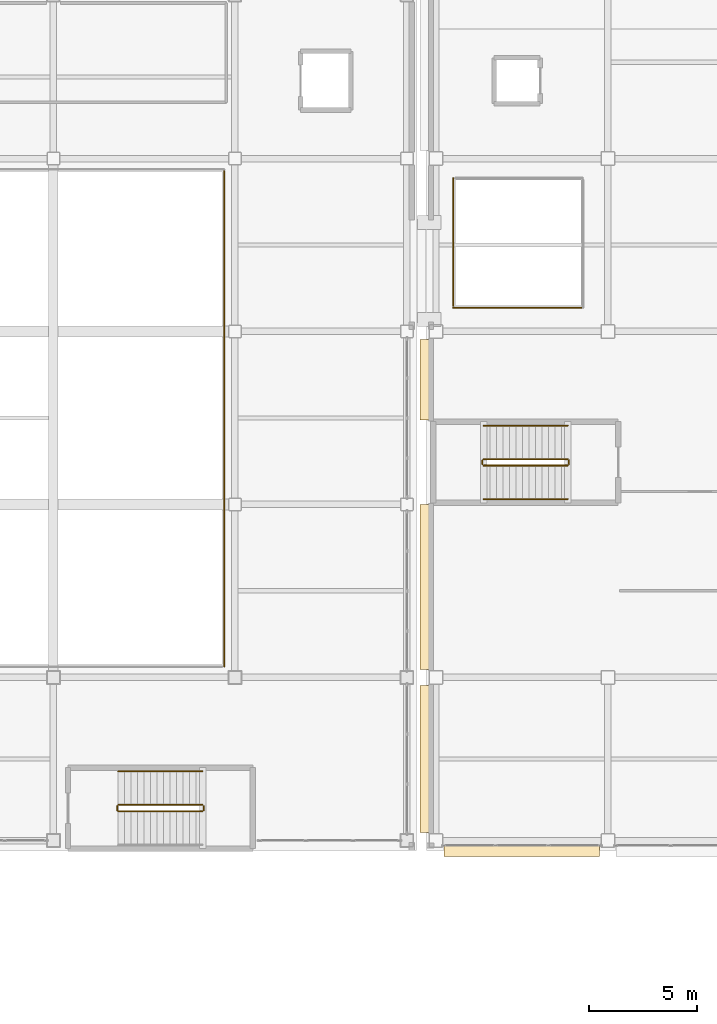
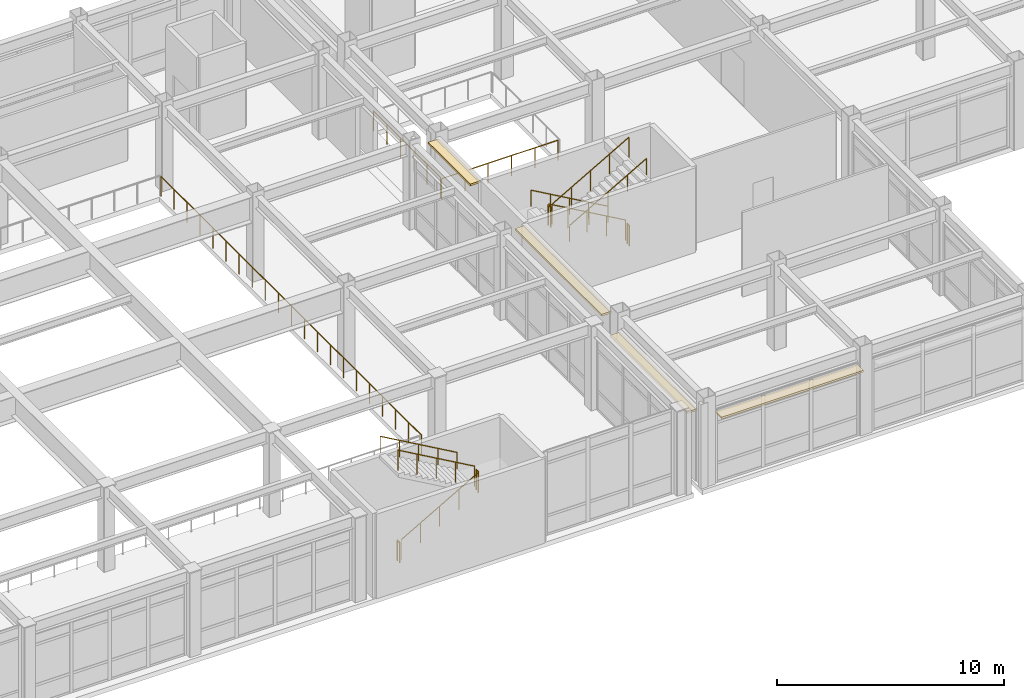
# One storey, part 155 of 172: 14 railings, 4 coverings.
"""IFC4 building model written with IfcOpenShell, lengths in metres."""

from ifc_helpers import new_model, si_unit, direction, frame, origin, origin_2d, place, context, subcontext, project, spatial, rectangle, circle, extrude, material, layer, layer_set, type_object, element, save


model = new_model("IFC4")

# Units and contexts
model_context = context("Model", 3, precision=1e-05, world=origin(), true_north=direction((0.0, 1.0)))
body_context = subcontext(model_context, "Body", "Model", "MODEL_VIEW")
ifc_project = project(units=[si_unit("LENGTHUNIT", "METRE"), si_unit("AREAUNIT", "SQUARE_METRE"), si_unit("VOLUMEUNIT", "CUBIC_METRE"), si_unit("PLANEANGLEUNIT", "RADIAN"), si_unit("MASSUNIT", "GRAM", prefix="KILO")], contexts=[model_context])

# Site, building, storey
site_placement = place(None, origin())
site = spatial("IfcSite", under=ifc_project, at=site_placement, CompositionType="ELEMENT")
building_placement = place(site_placement, origin())
building = spatial("IfcBuilding", under=site, at=building_placement, Name="Kazehara Bluff Congress Hotel", CompositionType="ELEMENT")
storey_placement = place(building_placement, frame((0.0, 0.0, 5.39990234375)))
storey = spatial("IfcBuildingStorey", under=building, at=storey_placement, Name="L01", CompositionType="ELEMENT", Elevation=5.39990234375)

# Coverings
ifc_material_1 = material(Name="Anodised aluminium architectural brise-soleil", Category="aluminium")
ifc_layer = layer(ifc_material_1, 0.10009765625)
ifc_layer_set = layer_set([ifc_layer], Name="Anodised aluminium architectural brise-soleil")
covering_type = type_object("IfcCoveringType", Name="TP-FAC-FIN", PredefinedType="CLADDING", material=ifc_layer_set)
covering_1_placement = place(storey_placement, frame((63.675048828125, -0.02001953125, 3.705078125), z_axis=(0.0, 0.0, 1.0), x_axis=(1.0, 0.0, 0.0)))
element("IfcCovering", 1, at=covering_1_placement, inside=storey, type_object=covering_type, Name="L01 V4 architectural sun-hood 35", PredefinedType="CLADDING", context=body_context, shape_type="SweptSolid", body=[
    extrude(rectangle(XDim=7.199951171875, YDim=0.52001953125, at=origin_2d()), origin(), (0.0, 0.0, 1.0), 0.10009765625),
])
covering_2_placement = place(storey_placement, frame((59.22998046875, 4.22509765625, 3.705078125), z_axis=(0.0, 0.0, 1.0), x_axis=(1.0, 0.0, 0.0)))
element("IfcCovering", 2, at=covering_2_placement, inside=storey, type_object=covering_type, Name="L01 V4 architectural sun-hood 51", PredefinedType="CLADDING", context=body_context, shape_type="SweptSolid", body=[
    extrude(rectangle(XDim=0.52001953125, YDim=6.800048828125, at=origin_2d()), origin(), (0.0, 0.0, 1.0), 0.10009765625),
])
covering_3_placement = place(storey_placement, frame((59.22998046875, 12.179931640625, 4.364990234375), z_axis=(0.0, 0.0, 1.0), x_axis=(1.0, 0.0, 0.0)))
element("IfcCovering", 3, at=covering_3_placement, inside=storey, type_object=covering_type, Name="L01 V4 architectural sun-hood 52", PredefinedType="CLADDING", context=body_context, shape_type="SweptSolid", body=[
    extrude(rectangle(XDim=0.52001953125, YDim=7.610107421875, at=origin_2d()), origin(), (0.0, 0.0, 1.0), 0.10009765625),
])
covering_4_placement = place(storey_placement, frame((59.22998046875, 21.77001953125, 4.364990234375), z_axis=(0.0, 0.0, 1.0), x_axis=(1.0, 0.0, 0.0)))
element("IfcCovering", 4, at=covering_4_placement, inside=storey, type_object=covering_type, Name="L01 V4 architectural sun-hood 53", PredefinedType="CLADDING", context=body_context, shape_type="SweptSolid", body=[
    extrude(rectangle(XDim=0.52001953125, YDim=3.7099609375, at=origin_2d()), origin(), (0.0, 0.0, 1.0), 0.10009765625),
])

# Railings
ifc_material_2 = material(Name="Brushed stainless steel", Category="steel")
railing_type_1 = type_object("IfcRailingType", Name="TP-GRD-INT", PredefinedType="GUARDRAIL", material=ifc_material_2)
railing_1_placement = place(storey_placement, frame((45.0, 1.800048828125, 0.171630859375)))
element("IfcRailing", 5, at=railing_1_placement, inside=storey, type_object=railing_type_1, Name="L01 ST-05 stair guard 1", PredefinedType="GUARDRAIL", context=body_context, shape_type="SweptSolid", body=[
    extrude(circle(Radius=0.02392578125, at=origin_2d()), frame((0.0, 0.0, 1.076171875), z_axis=(0.868243142124, 0.0, 0.496138938357), x_axis=(0.0, 1.0, 0.0)), (0.0, 0.0, 1.0), 4.49169921875),
    extrude(circle(Radius=0.02099609375, at=origin_2d()), origin(), (0.0, 0.0, 1.0), 1.052001953125),
    extrude(circle(Radius=0.02099609375, at=origin_2d()), frame((0.97509765625, 0.0, 0.55712890625)), (0.0, 0.0, 1.0), 1.052001953125),
    extrude(circle(Radius=0.02099609375, at=origin_2d()), frame((1.949951171875, 0.0, 1.1142578125)), (0.0, 0.0, 1.0), 1.052001953125),
    extrude(circle(Radius=0.02099609375, at=origin_2d()), frame((2.9248046875, 0.0, 1.67138671875)), (0.0, 0.0, 1.0), 1.052001953125),
    extrude(circle(Radius=0.02099609375, at=origin_2d()), frame((3.89990234375, 0.0, 2.228515625)), (0.0, 0.0, 1.0), 1.052001953125),
])
railing_2_placement = place(storey_placement, frame((48.949951171875, 1.85009765625, 2.400146484375)))
element("IfcRailing", 6, at=railing_2_placement, inside=storey, type_object=railing_type_1, Name="L01 ST-05 stair guard 2", PredefinedType="GUARDRAIL", context=body_context, shape_type="SweptSolid", body=[
    extrude(circle(Radius=0.02392578125, at=origin_2d()), frame((0.0, 0.0, 1.076171875), z_axis=(0.0, 1.0, 0.0), x_axis=(-1.0, 0.0, 0.0)), (0.0, 0.0, 1.0), 0.199951171875),
    extrude(circle(Radius=0.02099609375, at=origin_2d()), origin(), (0.0, 0.0, 1.0), 1.052001953125),
    extrude(circle(Radius=0.02099609375, at=origin_2d()), frame((0.0, 0.199951171875, 0.0)), (0.0, 0.0, 1.0), 1.052001953125),
])
railing_3_placement = place(storey_placement, frame((48.89990234375, 2.10009765625, 2.571533203125)))
element("IfcRailing", 7, at=railing_3_placement, inside=storey, type_object=railing_type_1, Name="L01 ST-05 stair guard 3", PredefinedType="GUARDRAIL", context=body_context, shape_type="SweptSolid", body=[
    extrude(circle(Radius=0.02392578125, at=origin_2d()), frame((0.0, 0.0, 1.076171875), z_axis=(-0.868243142124, 0.0, 0.496138938357), x_axis=(0.0, -1.0, 0.0)), (0.0, 0.0, 1.0), 4.49169921875),
    extrude(circle(Radius=0.02099609375, at=origin_2d()), origin(), (0.0, 0.0, 1.0), 1.052001953125),
    extrude(circle(Radius=0.02099609375, at=origin_2d()), frame((-0.97509765625, 0.0, 0.55712890625)), (0.0, 0.0, 1.0), 1.052001953125),
    extrude(circle(Radius=0.02099609375, at=origin_2d()), frame((-1.949951171875, 0.0, 1.1142578125)), (0.0, 0.0, 1.0), 1.052001953125),
    extrude(circle(Radius=0.02099609375, at=origin_2d()), frame((-2.9248046875, 0.0, 1.67138671875)), (0.0, 0.0, 1.0), 1.052001953125),
    extrude(circle(Radius=0.02099609375, at=origin_2d()), frame((-3.89990234375, 0.0, 2.228515625)), (0.0, 0.0, 1.0), 1.052001953125),
])
railing_4_placement = place(storey_placement, frame((44.949951171875, 1.85009765625, 0.0)))
element("IfcRailing", 8, at=railing_4_placement, inside=storey, type_object=railing_type_1, Name="L01 ST-05 stair guard 4", PredefinedType="GUARDRAIL", context=body_context, shape_type="SweptSolid", body=[
    extrude(circle(Radius=0.02392578125, at=origin_2d()), frame((0.0, 0.0, 1.076171875), z_axis=(0.0, 1.0, 0.0), x_axis=(-1.0, 0.0, 0.0)), (0.0, 0.0, 1.0), 0.199951171875),
    extrude(circle(Radius=0.02099609375, at=origin_2d()), origin(), (0.0, 0.0, 1.0), 1.052001953125),
    extrude(circle(Radius=0.02099609375, at=origin_2d()), frame((0.0, 0.199951171875, 0.0)), (0.0, 0.0, 1.0), 1.052001953125),
])
railing_5_placement = place(storey_placement, frame((65.800048828125, 18.10009765625, 0.171630859375)))
element("IfcRailing", 9, at=railing_5_placement, inside=storey, type_object=railing_type_1, Name="L01 ST-08 stair guard 1", PredefinedType="GUARDRAIL", context=body_context, shape_type="SweptSolid", body=[
    extrude(circle(Radius=0.02392578125, at=origin_2d()), frame((0.0, 0.0, 1.076171875), z_axis=(-0.868256520506, 0.0, 0.496115525457), x_axis=(0.0, -1.0, 0.0)), (0.0, 0.0, 1.0), 4.491943359375),
    extrude(circle(Radius=0.02099609375, at=origin_2d()), origin(), (0.0, 0.0, 1.0), 1.052001953125),
    extrude(circle(Radius=0.02099609375, at=origin_2d()), frame((-0.97509765625, 0.0, 0.55712890625)), (0.0, 0.0, 1.0), 1.052001953125),
    extrude(circle(Radius=0.02099609375, at=origin_2d()), frame((-1.9501953125, 0.0, 1.1142578125)), (0.0, 0.0, 1.0), 1.052001953125),
    extrude(circle(Radius=0.02099609375, at=origin_2d()), frame((-2.925048828125, 0.0, 1.67138671875)), (0.0, 0.0, 1.0), 1.052001953125),
    extrude(circle(Radius=0.02099609375, at=origin_2d()), frame((-3.900146484375, 0.0, 2.228515625)), (0.0, 0.0, 1.0), 1.052001953125),
])
railing_6_placement = place(storey_placement, frame((61.85009765625, 18.050048828125, 2.400146484375)))
element("IfcRailing", 10, at=railing_6_placement, inside=storey, type_object=railing_type_1, Name="L01 ST-08 stair guard 2", PredefinedType="GUARDRAIL", context=body_context, shape_type="SweptSolid", body=[
    extrude(circle(Radius=0.02392578125, at=origin_2d()), frame((0.0, 0.0, 1.076171875), z_axis=(0.0, -1.0, 0.0), x_axis=(1.0, 0.0, 0.0)), (0.0, 0.0, 1.0), 0.199951171875),
    extrude(circle(Radius=0.02099609375, at=origin_2d()), origin(), (0.0, 0.0, 1.0), 1.052001953125),
    extrude(circle(Radius=0.02099609375, at=origin_2d()), frame((0.0, -0.199951171875, 0.0)), (0.0, 0.0, 1.0), 1.052001953125),
])
railing_7_placement = place(storey_placement, frame((61.89990234375, 17.800048828125, 2.571533203125)))
element("IfcRailing", 11, at=railing_7_placement, inside=storey, type_object=railing_type_1, Name="L01 ST-08 stair guard 3", PredefinedType="GUARDRAIL", context=body_context, shape_type="SweptSolid", body=[
    extrude(circle(Radius=0.02392578125, at=origin_2d()), frame((0.0, 0.0, 1.076171875), z_axis=(0.868256520506, 0.0, 0.496115525457), x_axis=(0.0, 1.0, 0.0)), (0.0, 0.0, 1.0), 4.491943359375),
    extrude(circle(Radius=0.02099609375, at=origin_2d()), origin(), (0.0, 0.0, 1.0), 1.052001953125),
    extrude(circle(Radius=0.02099609375, at=origin_2d()), frame((0.97509765625, 0.0, 0.55712890625)), (0.0, 0.0, 1.0), 1.052001953125),
    extrude(circle(Radius=0.02099609375, at=origin_2d()), frame((1.9501953125, 0.0, 1.1142578125)), (0.0, 0.0, 1.0), 1.052001953125),
    extrude(circle(Radius=0.02099609375, at=origin_2d()), frame((2.925048828125, 0.0, 1.67138671875)), (0.0, 0.0, 1.0), 1.052001953125),
    extrude(circle(Radius=0.02099609375, at=origin_2d()), frame((3.900146484375, 0.0, 2.228515625)), (0.0, 0.0, 1.0), 1.052001953125),
])
railing_8_placement = place(storey_placement, frame((65.85009765625, 18.050048828125, 0.0)))
element("IfcRailing", 12, at=railing_8_placement, inside=storey, type_object=railing_type_1, Name="L01 ST-08 stair guard 4", PredefinedType="GUARDRAIL", context=body_context, shape_type="SweptSolid", body=[
    extrude(circle(Radius=0.02392578125, at=origin_2d()), frame((0.0, 0.0, 1.076171875), z_axis=(0.0, -1.0, 0.0), x_axis=(1.0, 0.0, 0.0)), (0.0, 0.0, 1.0), 0.199951171875),
    extrude(circle(Radius=0.02099609375, at=origin_2d()), origin(), (0.0, 0.0, 1.0), 1.052001953125),
    extrude(circle(Radius=0.02099609375, at=origin_2d()), frame((0.0, -0.199951171875, 0.0)), (0.0, 0.0, 1.0), 1.052001953125),
])
railing_9_placement = place(storey_placement, frame((49.89990234375, 8.5, 0.0)))
element("IfcRailing", 13, at=railing_9_placement, inside=storey, type_object=railing_type_1, Name="L01 V2-VOID void guardrail E", PredefinedType="GUARDRAIL", context=body_context, shape_type="SweptSolid", body=[
    extrude(circle(Radius=0.02392578125, at=origin_2d()), frame((0.0, 0.0, 1.076171875), z_axis=(0.0, 1.0, 0.0), x_axis=(-1.0, 0.0, 0.0)), (0.0, 0.0, 1.0), 22.919921875),
    extrude(circle(Radius=0.02099609375, at=origin_2d()), origin(), (0.0, 0.0, 1.0), 1.052001953125),
    extrude(circle(Radius=0.02099609375, at=origin_2d()), frame((0.0, 1.14599609375, 0.0)), (0.0, 0.0, 1.0), 1.052001953125),
    extrude(circle(Radius=0.02099609375, at=origin_2d()), frame((0.0, 2.2919921875, 0.0)), (0.0, 0.0, 1.0), 1.052001953125),
    extrude(circle(Radius=0.02099609375, at=origin_2d()), frame((0.0, 3.43798828125, 0.0)), (0.0, 0.0, 1.0), 1.052001953125),
    extrude(circle(Radius=0.02099609375, at=origin_2d()), frame((0.0, 4.583984375, 0.0)), (0.0, 0.0, 1.0), 1.052001953125),
    extrude(circle(Radius=0.02099609375, at=origin_2d()), frame((0.0, 5.72998046875, 0.0)), (0.0, 0.0, 1.0), 1.052001953125),
    extrude(circle(Radius=0.02099609375, at=origin_2d()), frame((0.0, 6.8759765625, 0.0)), (0.0, 0.0, 1.0), 1.052001953125),
    extrude(circle(Radius=0.02099609375, at=origin_2d()), frame((0.0, 8.02197265625, 0.0)), (0.0, 0.0, 1.0), 1.052001953125),
    extrude(circle(Radius=0.02099609375, at=origin_2d()), frame((0.0, 9.16796875, 0.0)), (0.0, 0.0, 1.0), 1.052001953125),
    extrude(circle(Radius=0.02099609375, at=origin_2d()), frame((0.0, 10.31396484375, 0.0)), (0.0, 0.0, 1.0), 1.052001953125),
    extrude(circle(Radius=0.02099609375, at=origin_2d()), frame((0.0, 11.4599609375, 0.0)), (0.0, 0.0, 1.0), 1.052001953125),
    extrude(circle(Radius=0.02099609375, at=origin_2d()), frame((0.0, 12.60595703125, 0.0)), (0.0, 0.0, 1.0), 1.052001953125),
    extrude(circle(Radius=0.02099609375, at=origin_2d()), frame((0.0, 13.751953125, 0.0)), (0.0, 0.0, 1.0), 1.052001953125),
    extrude(circle(Radius=0.02099609375, at=origin_2d()), frame((0.0, 14.89794921875, 0.0)), (0.0, 0.0, 1.0), 1.052001953125),
    extrude(circle(Radius=0.02099609375, at=origin_2d()), frame((0.0, 16.0439453125, 0.0)), (0.0, 0.0, 1.0), 1.052001953125),
    extrude(circle(Radius=0.02099609375, at=origin_2d()), frame((0.0, 17.18994140625, 0.0)), (0.0, 0.0, 1.0), 1.052001953125),
    extrude(circle(Radius=0.02099609375, at=origin_2d()), frame((0.0, 18.3359375, 0.0)), (0.0, 0.0, 1.0), 1.052001953125),
    extrude(circle(Radius=0.02099609375, at=origin_2d()), frame((0.0, 19.48193359375, 0.0)), (0.0, 0.0, 1.0), 1.052001953125),
    extrude(circle(Radius=0.02099609375, at=origin_2d()), frame((0.0, 20.6279296875, 0.0)), (0.0, 0.0, 1.0), 1.052001953125),
    extrude(circle(Radius=0.02099609375, at=origin_2d()), frame((0.0, 21.77392578125, 0.0)), (0.0, 0.0, 1.0), 1.052001953125),
    extrude(circle(Radius=0.02099609375, at=origin_2d()), frame((0.0, 22.919921875, 0.0)), (0.0, 0.0, 1.0), 1.052001953125),
])
railing_10_placement = place(storey_placement, frame((60.5, 25.10009765625, 0.0)))
element("IfcRailing", 14, at=railing_10_placement, inside=storey, type_object=railing_type_1, Name="L01 V4-ATRM void guardrail S", PredefinedType="GUARDRAIL", context=body_context, shape_type="SweptSolid", body=[
    extrude(circle(Radius=0.02392578125, at=origin_2d()), frame((0.0, 0.0, 1.076171875), z_axis=(1.0, 0.0, 0.0), x_axis=(0.0, 1.0, 0.0)), (0.0, 0.0, 1.0), 5.919921875),
    extrude(circle(Radius=0.02099609375, at=origin_2d()), origin(), (0.0, 0.0, 1.0), 1.052001953125),
    extrude(circle(Radius=0.02099609375, at=origin_2d()), frame((1.18408203125, 0.0, 0.0)), (0.0, 0.0, 1.0), 1.052001953125),
    extrude(circle(Radius=0.02099609375, at=origin_2d()), frame((2.367919921875, 0.0, 0.0)), (0.0, 0.0, 1.0), 1.052001953125),
    extrude(circle(Radius=0.02099609375, at=origin_2d()), frame((3.552001953125, 0.0, 0.0)), (0.0, 0.0, 1.0), 1.052001953125),
    extrude(circle(Radius=0.02099609375, at=origin_2d()), frame((4.73583984375, 0.0, 0.0)), (0.0, 0.0, 1.0), 1.052001953125),
    extrude(circle(Radius=0.02099609375, at=origin_2d()), frame((5.919921875, 0.0, 0.0)), (0.0, 0.0, 1.0), 1.052001953125),
])
railing_11_placement = place(storey_placement, frame((60.5, 31.10009765625, 0.0)))
element("IfcRailing", 15, at=railing_11_placement, inside=storey, type_object=railing_type_1, Name="L01 V4-ATRM void guardrail W", PredefinedType="GUARDRAIL", context=body_context, shape_type="SweptSolid", body=[
    extrude(circle(Radius=0.02392578125, at=origin_2d()), frame((0.0, 0.0, 1.076171875), z_axis=(0.0, -1.0, 0.0), x_axis=(1.0, 0.0, 0.0)), (0.0, 0.0, 1.0), 5.920166015625),
    extrude(circle(Radius=0.02099609375, at=origin_2d()), origin(), (0.0, 0.0, 1.0), 1.052001953125),
    extrude(circle(Radius=0.02099609375, at=origin_2d()), frame((0.0, -1.18408203125, 0.0)), (0.0, 0.0, 1.0), 1.052001953125),
    extrude(circle(Radius=0.02099609375, at=origin_2d()), frame((0.0, -2.3681640625, 0.0)), (0.0, 0.0, 1.0), 1.052001953125),
    extrude(circle(Radius=0.02099609375, at=origin_2d()), frame((0.0, -3.552001953125, 0.0)), (0.0, 0.0, 1.0), 1.052001953125),
    extrude(circle(Radius=0.02099609375, at=origin_2d()), frame((0.0, -4.736083984375, 0.0)), (0.0, 0.0, 1.0), 1.052001953125),
    extrude(circle(Radius=0.02099609375, at=origin_2d()), frame((0.0, -5.920166015625, 0.0)), (0.0, 0.0, 1.0), 1.052001953125),
])
ifc_material_3 = material(Name="Brushed stainless steel", Category="steel")
railing_type_2 = type_object("IfcRailingType", Name="TP-HR-INT", PredefinedType="HANDRAIL", material=ifc_material_3)
railing_12_placement = place(storey_placement, frame((48.89990234375, 3.64990234375, 2.571533203125)))
element("IfcRailing", 16, at=railing_12_placement, inside=storey, type_object=railing_type_2, Name="L01 ST-05 stair handrail 2", PredefinedType="HANDRAIL", context=body_context, shape_type="SweptSolid", body=[
    extrude(circle(Radius=0.02392578125, at=origin_2d()), frame((0.0, 0.0, 0.8759765625), z_axis=(-0.868243142124, 0.0, 0.496138938357), x_axis=(0.0, -1.0, 0.0)), (0.0, 0.0, 1.0), 4.49169921875),
    extrude(circle(Radius=0.02099609375, at=origin_2d()), origin(), (0.0, 0.0, 1.0), 0.851806640625),
    extrude(circle(Radius=0.02099609375, at=origin_2d()), frame((-0.97509765625, 0.0, 0.55712890625)), (0.0, 0.0, 1.0), 0.851806640625),
    extrude(circle(Radius=0.02099609375, at=origin_2d()), frame((-1.949951171875, 0.0, 1.1142578125)), (0.0, 0.0, 1.0), 0.851806640625),
    extrude(circle(Radius=0.02099609375, at=origin_2d()), frame((-2.9248046875, 0.0, 1.67138671875)), (0.0, 0.0, 1.0), 0.851806640625),
    extrude(circle(Radius=0.02099609375, at=origin_2d()), frame((-3.89990234375, 0.0, 2.228515625)), (0.0, 0.0, 1.0), 0.851806640625),
])
railing_13_placement = place(storey_placement, frame((65.800048828125, 19.64990234375, 0.171630859375)))
element("IfcRailing", 17, at=railing_13_placement, inside=storey, type_object=railing_type_2, Name="L01 ST-08 stair handrail 1", PredefinedType="HANDRAIL", context=body_context, shape_type="SweptSolid", body=[
    extrude(circle(Radius=0.02392578125, at=origin_2d()), frame((0.0, 0.0, 0.8759765625), z_axis=(-0.868256520506, 0.0, 0.496115525457), x_axis=(0.0, -1.0, 0.0)), (0.0, 0.0, 1.0), 4.491943359375),
    extrude(circle(Radius=0.02099609375, at=origin_2d()), origin(), (0.0, 0.0, 1.0), 0.851806640625),
    extrude(circle(Radius=0.02099609375, at=origin_2d()), frame((-0.97509765625, 0.0, 0.55712890625)), (0.0, 0.0, 1.0), 0.851806640625),
    extrude(circle(Radius=0.02099609375, at=origin_2d()), frame((-1.9501953125, 0.0, 1.1142578125)), (0.0, 0.0, 1.0), 0.851806640625),
    extrude(circle(Radius=0.02099609375, at=origin_2d()), frame((-2.925048828125, 0.0, 1.67138671875)), (0.0, 0.0, 1.0), 0.851806640625),
    extrude(circle(Radius=0.02099609375, at=origin_2d()), frame((-3.900146484375, 0.0, 2.228515625)), (0.0, 0.0, 1.0), 0.851806640625),
])
railing_14_placement = place(storey_placement, frame((61.89990234375, 16.25, 2.571533203125)))
element("IfcRailing", 18, at=railing_14_placement, inside=storey, type_object=railing_type_2, Name="L01 ST-08 stair handrail 2", PredefinedType="HANDRAIL", context=body_context, shape_type="SweptSolid", body=[
    extrude(circle(Radius=0.02392578125, at=origin_2d()), frame((0.0, 0.0, 0.8759765625), z_axis=(0.868256520506, 0.0, 0.496115525457), x_axis=(0.0, 1.0, 0.0)), (0.0, 0.0, 1.0), 4.491943359375),
    extrude(circle(Radius=0.02099609375, at=origin_2d()), origin(), (0.0, 0.0, 1.0), 0.851806640625),
    extrude(circle(Radius=0.02099609375, at=origin_2d()), frame((0.97509765625, 0.0, 0.55712890625)), (0.0, 0.0, 1.0), 0.851806640625),
    extrude(circle(Radius=0.02099609375, at=origin_2d()), frame((1.9501953125, 0.0, 1.1142578125)), (0.0, 0.0, 1.0), 0.851806640625),
    extrude(circle(Radius=0.02099609375, at=origin_2d()), frame((2.925048828125, 0.0, 1.67138671875)), (0.0, 0.0, 1.0), 0.851806640625),
    extrude(circle(Radius=0.02099609375, at=origin_2d()), frame((3.900146484375, 0.0, 2.228515625)), (0.0, 0.0, 1.0), 0.851806640625),
])

save(model, "model.ifc")
